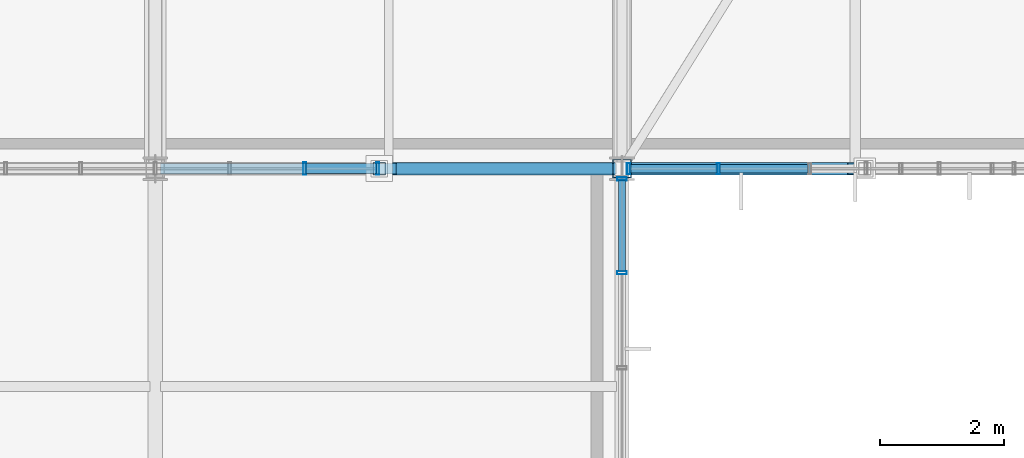
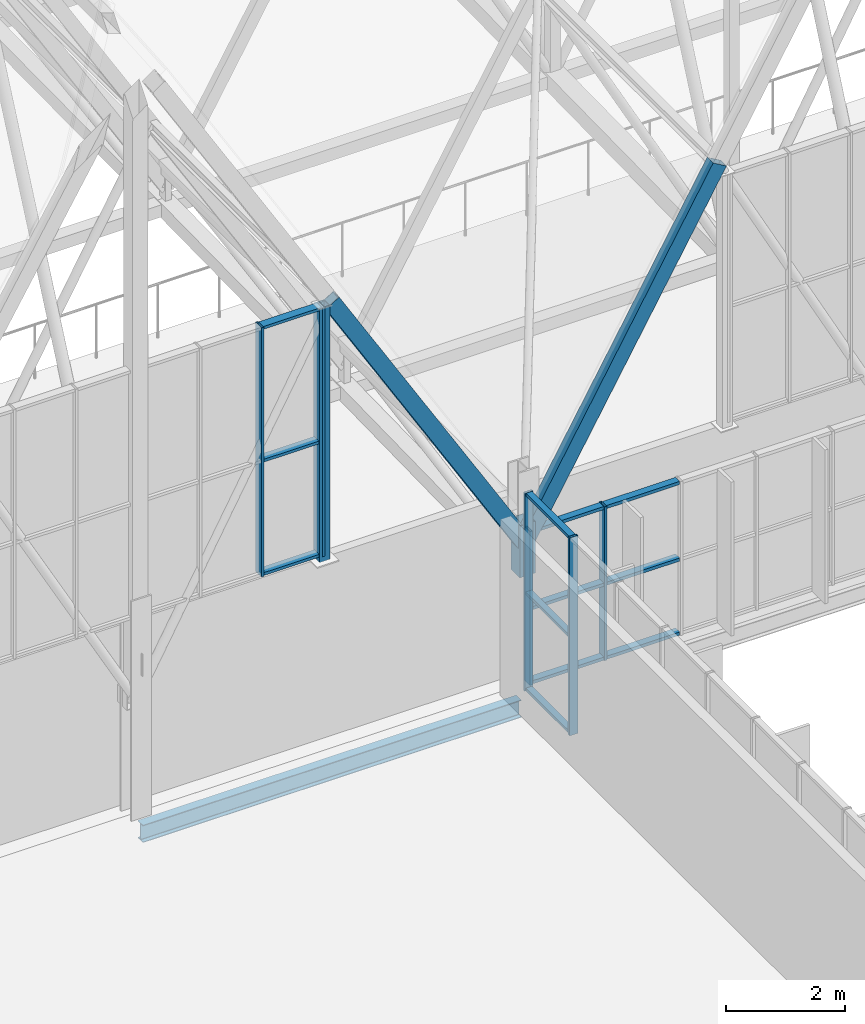
# One storey, part 95 of 324: 22 members, 1 beam, 3 elements without a shape of their own.
"""IFC4 building model written with IfcOpenShell, lengths in metres."""

from ifc_helpers import new_model, si_unit, direction, frame, origin, origin_2d, place, context, subcontext, project, spatial, hollow_rectangle, i_section, extrude, material, layer, layer_set, material_profile, profile_set, type_object, element, aggregate, save


model = new_model("IFC4")

# Units and contexts
model_context = context("Model", 3, precision=1e-05, world=origin(), true_north=direction((0.0, 1.0)))
body_context = subcontext(model_context, "Body", "Model", "MODEL_VIEW")
ifc_project = project(units=[si_unit("LENGTHUNIT", "METRE"), si_unit("AREAUNIT", "SQUARE_METRE"), si_unit("VOLUMEUNIT", "CUBIC_METRE"), si_unit("PLANEANGLEUNIT", "RADIAN"), si_unit("MASSUNIT", "GRAM", prefix="KILO")], contexts=[model_context])

# Site, building, storey
site_placement = place(None, origin())
site = spatial("IfcSite", under=ifc_project, at=site_placement, CompositionType="ELEMENT")
building_placement = place(site_placement, origin())
building = spatial("IfcBuilding", under=site, at=building_placement, Name="Solvenia Promenade Tram Depot", CompositionType="ELEMENT")
storey_placement = place(building_placement, frame((0.0, 0.0, 4.5)))
storey = spatial("IfcBuildingStorey", under=building, at=storey_placement, Name="L01", CompositionType="ELEMENT", Elevation=4.5)

# Curtain wall, members
ifc_material_1 = material(Name="Anodized aluminium AW-6063 T6", Category="aluminium")
ifc_layer_1 = layer(ifc_material_1, 0.1201171875, Name="Anodized aluminium AW-6063 T6", Category="aluminium")
ifc_layer_set_1 = layer_set([ifc_layer_1], Name="Anodized aluminium AW-6063 T6")
curtain_wall_type_1 = type_object("IfcCurtainWallType", Name="CW-Wash-1500", PredefinedType="NOTDEFINED", material=ifc_layer_set_1)
curtain_wall_1_placement = place(storey_placement, origin())
curtain_wall_1 = element("IfcCurtainWall", 1, at=curtain_wall_1_placement, inside=storey, type_object=curtain_wall_type_1, Name="Curtain Wall CW-V3-E-L1-3", PredefinedType="NOTDEFINED")
ifc_material_profile_1 = material_profile(ifc_material_1, hollow_rectangle(XDim=0.159912109375, YDim=0.052001953125, WallThickness=0.00390625, at=origin_2d()), Name="ALU-M1", Category="aluminium")
ifc_profile_set_1 = profile_set([ifc_material_profile_1], Name="Anodized aluminium AW-6063 T6")
member_type_1 = type_object("IfcMemberType", Name="CWM-Mullion-1", PredefinedType="MULLION", material=ifc_profile_set_1)
member_1_placement = place(storey_placement, frame((45.0, 64.328857421875, 0.0), z_axis=(0.0, 0.0, 1.0), x_axis=(-1.0, 0.0, 0.0)))
member_1 = element("IfcMember", 2, at=member_1_placement, type_object=member_type_1, Name="CW-10 mullion 9", PredefinedType="MULLION", context=body_context, shape_type="SweptSolid", body=[
    extrude(hollow_rectangle(XDim=0.159912109375, YDim=0.052001953125, WallThickness=0.00390625, at=origin_2d()), origin(), (0.0, 0.0, 1.0), 4.050048828125),
])
member_2_placement = place(storey_placement, frame((45.0, 65.833984375, 0.0), z_axis=(0.0, 0.0, 1.0), x_axis=(-1.0, 0.0, 0.0)))
member_2 = element("IfcMember", 3, at=member_2_placement, type_object=member_type_1, Name="CW-10 mullion 10", PredefinedType="MULLION", context=body_context, shape_type="SweptSolid", body=[
    extrude(hollow_rectangle(XDim=0.159912109375, YDim=0.052001953125, WallThickness=0.00390625, at=origin_2d()), origin(), (0.0, 0.0, 1.0), 4.050048828125),
])

ifc_layer_2 = layer(ifc_material_1, 0.159912109375, Name="Anodized aluminium AW-6063 T6", Category="aluminium")
ifc_layer_set_2 = layer_set([ifc_layer_2], Name="Anodized aluminium AW-6063 T6")
curtain_wall_type_2 = type_object("IfcCurtainWallType", Name="CW-Channel-1500", PredefinedType="NOTDEFINED", material=ifc_layer_set_2)
curtain_wall_2_placement = place(storey_placement, origin())
curtain_wall_2 = element("IfcCurtainWall", 4, at=curtain_wall_2_placement, inside=storey, type_object=curtain_wall_type_2, Name="Curtain Wall CW-V1S1-01", PredefinedType="NOTDEFINED")
ifc_material_profile_2 = material_profile(ifc_material_1, hollow_rectangle(XDim=0.179931640625, YDim=0.050048828125, WallThickness=0.00390625, at=origin_2d()), Name="ALU-M2", Category="aluminium")
ifc_profile_set_2 = profile_set([ifc_material_profile_2], Name="Anodized aluminium AW-6063 T6")
member_type_2 = type_object("IfcMemberType", Name="CWM-Mullion-2", PredefinedType="MULLION", material=ifc_profile_set_2)
member_3_placement = place(storey_placement, frame((45.10498046875, 66.0, 0.0), z_axis=(0.0, 0.0, 1.0), x_axis=(0.0, 1.0, 0.0)))
member_3 = element("IfcMember", 5, at=member_3_placement, type_object=member_type_2, Name="CW-2 mullion 1", PredefinedType="MULLION", context=body_context, shape_type="SweptSolid", body=[
    extrude(hollow_rectangle(XDim=0.179931640625, YDim=0.050048828125, WallThickness=0.00390625, at=origin_2d()), origin(), (0.0, 0.0, 1.0), 3.14990234375),
])
member_4_placement = place(storey_placement, frame((46.548095703125, 66.0, 0.0), z_axis=(0.0, 0.0, 1.0), x_axis=(0.0, 1.0, 0.0)))
member_4 = element("IfcMember", 6, at=member_4_placement, type_object=member_type_2, Name="CW-2 mullion 2", PredefinedType="MULLION", context=body_context, shape_type="SweptSolid", body=[
    extrude(hollow_rectangle(XDim=0.179931640625, YDim=0.050048828125, WallThickness=0.00390625, at=origin_2d()), origin(), (0.0, 0.0, 1.0), 3.14990234375),
])

ifc_layer_3 = layer(ifc_material_1, 0.14990234375, Name="Anodized aluminium AW-6063 T6", Category="aluminium")
ifc_layer_set_3 = layer_set([ifc_layer_3], Name="Anodized aluminium AW-6063 T6")
curtain_wall_type_3 = type_object("IfcCurtainWallType", Name="CW-Gable-1200", PredefinedType="NOTDEFINED", material=ifc_layer_set_3)
curtain_wall_3_placement = place(storey_placement, origin())
curtain_wall_3 = element("IfcCurtainWall", 7, at=curtain_wall_3_placement, inside=storey, type_object=curtain_wall_type_3, Name="South Zigzag Gable 03 Peak Glazing", PredefinedType="NOTDEFINED")
ifc_material_profile_3 = material_profile(ifc_material_1, hollow_rectangle(XDim=0.199951171875, YDim=0.048095703125, WallThickness=0.00390625, at=origin_2d()), Name="ALU-M3", Category="aluminium")
ifc_profile_set_3 = profile_set([ifc_material_profile_3], Name="Anodized aluminium AW-6063 T6")
member_type_3 = type_object("IfcMemberType", Name="CWM-Mullion-3", PredefinedType="MULLION", material=ifc_profile_set_3)
member_5_placement = place(storey_placement, frame((39.89990234375, 66.0, 4.050048828125), z_axis=(0.0, 0.0, 1.0), x_axis=(0.0, 1.0, 0.0)))
member_5 = element("IfcMember", 8, at=member_5_placement, type_object=member_type_3, Name="CW-3 mullion 6", PredefinedType="MULLION", context=body_context, shape_type="SweptSolid", body=[
    extrude(hollow_rectangle(XDim=0.199951171875, YDim=0.048095703125, WallThickness=0.00390625, at=origin_2d()), origin(), (0.0, 0.0, 1.0), 5.099853515625),
])
member_6_placement = place(storey_placement, frame((41.075927734375, 66.0, 4.050048828125), z_axis=(0.0, 0.0, 1.0), x_axis=(0.0, 1.0, 0.0)))
member_6 = element("IfcMember", 9, at=member_6_placement, type_object=member_type_3, Name="CW-3 mullion 7", PredefinedType="MULLION", context=body_context, shape_type="SweptSolid", body=[
    extrude(hollow_rectangle(XDim=0.199951171875, YDim=0.048095703125, WallThickness=0.00390625, at=origin_2d()), origin(), (0.0, 0.0, 1.0), 5.099853515625),
])

# Member
ifc_material_profile_4 = material_profile(ifc_material_1, hollow_rectangle(XDim=0.1201171875, YDim=0.06005859375, WallThickness=0.00390625, at=origin_2d()), Name="ALU-T1", Category="aluminium")
ifc_profile_set_4 = profile_set([ifc_material_profile_4], Name="Anodized aluminium AW-6063 T6")
member_type_4 = type_object("IfcMemberType", Name="CWT-Transom-1", PredefinedType="USERDEFINED", material=ifc_profile_set_4)
member_7_placement = place(storey_placement, frame((45.0, 64.35498046875, 0.030029296875), z_axis=(0.0, 1.0, 0.0), x_axis=(-1.0, 0.0, 0.0)))
member_7 = element("IfcMember", 10, at=member_7_placement, type_object=member_type_4, Name="CW-10 transom 9.1", ObjectType="TRANSOM", PredefinedType="USERDEFINED", context=body_context, shape_type="SweptSolid", body=[
    extrude(hollow_rectangle(XDim=0.1201171875, YDim=0.06005859375, WallThickness=0.00390625, at=origin_2d()), origin(), (0.0, 0.0, 1.0), 1.453125),
])

member_8_placement = place(storey_placement, frame((45.0, 64.35498046875, 2.0), z_axis=(0.0, 1.0, 0.0), x_axis=(-1.0, 0.0, 0.0)))
member_8 = element("IfcMember", 11, at=member_8_placement, type_object=member_type_4, Name="CW-10 transom 9.2", ObjectType="TRANSOM", PredefinedType="USERDEFINED", context=body_context, shape_type="SweptSolid", body=[
    extrude(hollow_rectangle(XDim=0.1201171875, YDim=0.06005859375, WallThickness=0.00390625, at=origin_2d()), origin(), (0.0, 0.0, 1.0), 1.453125),
])

member_9_placement = place(storey_placement, frame((45.0, 64.35498046875, 4.02001953125), z_axis=(0.0, 1.0, 0.0), x_axis=(-1.0, 0.0, 0.0)))
member_9 = element("IfcMember", 12, at=member_9_placement, type_object=member_type_4, Name="CW-10 transom 9.3", ObjectType="TRANSOM", PredefinedType="USERDEFINED", context=body_context, shape_type="SweptSolid", body=[
    extrude(hollow_rectangle(XDim=0.1201171875, YDim=0.06005859375, WallThickness=0.00390625, at=origin_2d()), origin(), (0.0, 0.0, 1.0), 1.453125),
])

aggregate(curtain_wall_1, [member_1, member_2, member_7, member_8, member_9])

ifc_material_profile_5 = material_profile(ifc_material_1, hollow_rectangle(XDim=0.139892578125, YDim=0.06494140625, WallThickness=0.00390625, at=origin_2d()), Name="ALU-T2", Category="aluminium")
ifc_profile_set_5 = profile_set([ifc_material_profile_5], Name="Anodized aluminium AW-6063 T6")
member_type_5 = type_object("IfcMemberType", Name="CWT-Transom-2", PredefinedType="USERDEFINED", material=ifc_profile_set_5)
member_10_placement = place(storey_placement, frame((45.1298828125, 66.0, 0.032470703125), z_axis=(1.0, 0.0, 0.0), x_axis=(0.0, 1.0, 0.0)))
member_10 = element("IfcMember", 13, at=member_10_placement, type_object=member_type_5, Name="CW-2 transom 1.1", ObjectType="TRANSOM", PredefinedType="USERDEFINED", context=body_context, shape_type="SweptSolid", body=[
    extrude(hollow_rectangle(XDim=0.139892578125, YDim=0.06494140625, WallThickness=0.00390625, at=origin_2d()), origin(), (0.0, 0.0, 1.0), 1.39306640625),
])

member_11_placement = place(storey_placement, frame((45.1298828125, 66.0, 1.550048828125), z_axis=(1.0, 0.0, 0.0), x_axis=(0.0, 1.0, 0.0)))
member_11 = element("IfcMember", 14, at=member_11_placement, type_object=member_type_5, Name="CW-2 transom 1.2", ObjectType="TRANSOM", PredefinedType="USERDEFINED", context=body_context, shape_type="SweptSolid", body=[
    extrude(hollow_rectangle(XDim=0.139892578125, YDim=0.06494140625, WallThickness=0.00390625, at=origin_2d()), origin(), (0.0, 0.0, 1.0), 1.39306640625),
])

member_12_placement = place(storey_placement, frame((45.1298828125, 66.0, 3.117431640625), z_axis=(1.0, 0.0, 0.0), x_axis=(0.0, 1.0, 0.0)))
member_12 = element("IfcMember", 15, at=member_12_placement, type_object=member_type_5, Name="CW-2 transom 1.3", ObjectType="TRANSOM", PredefinedType="USERDEFINED", context=body_context, shape_type="SweptSolid", body=[
    extrude(hollow_rectangle(XDim=0.139892578125, YDim=0.06494140625, WallThickness=0.00390625, at=origin_2d()), origin(), (0.0, 0.0, 1.0), 1.39306640625),
])

member_13_placement = place(storey_placement, frame((46.572998046875, 66.0, 0.032470703125), z_axis=(1.0, 0.0, 0.0), x_axis=(0.0, 1.0, 0.0)))
member_13 = element("IfcMember", 16, at=member_13_placement, type_object=member_type_5, Name="CW-2 transom 2.1", ObjectType="TRANSOM", PredefinedType="USERDEFINED", context=body_context, shape_type="SweptSolid", body=[
    extrude(hollow_rectangle(XDim=0.139892578125, YDim=0.06494140625, WallThickness=0.00390625, at=origin_2d()), origin(), (0.0, 0.0, 1.0), 1.41796875),
])

member_14_placement = place(storey_placement, frame((46.572998046875, 66.0, 1.550048828125), z_axis=(1.0, 0.0, 0.0), x_axis=(0.0, 1.0, 0.0)))
member_14 = element("IfcMember", 17, at=member_14_placement, type_object=member_type_5, Name="CW-2 transom 2.2", ObjectType="TRANSOM", PredefinedType="USERDEFINED", context=body_context, shape_type="SweptSolid", body=[
    extrude(hollow_rectangle(XDim=0.139892578125, YDim=0.06494140625, WallThickness=0.00390625, at=origin_2d()), origin(), (0.0, 0.0, 1.0), 1.41796875),
])

member_15_placement = place(storey_placement, frame((46.572998046875, 66.0, 3.117431640625), z_axis=(1.0, 0.0, 0.0), x_axis=(0.0, 1.0, 0.0)))
member_15 = element("IfcMember", 18, at=member_15_placement, type_object=member_type_5, Name="CW-2 transom 2.3", ObjectType="TRANSOM", PredefinedType="USERDEFINED", context=body_context, shape_type="SweptSolid", body=[
    extrude(hollow_rectangle(XDim=0.139892578125, YDim=0.06494140625, WallThickness=0.00390625, at=origin_2d()), origin(), (0.0, 0.0, 1.0), 1.41796875),
])

aggregate(curtain_wall_2, [member_3, member_4, member_10, member_11, member_12, member_13, member_14, member_15])

ifc_material_profile_6 = material_profile(ifc_material_1, hollow_rectangle(XDim=0.159912109375, YDim=0.05810546875, WallThickness=0.00390625, at=origin_2d()), Name="ALU-T3", Category="aluminium")
ifc_profile_set_6 = profile_set([ifc_material_profile_6], Name="Anodized aluminium AW-6063 T6")
member_type_6 = type_object("IfcMemberType", Name="CWT-Transom-3", PredefinedType="USERDEFINED", material=ifc_profile_set_6)
member_16_placement = place(storey_placement, frame((39.924072265625, 66.0, 4.0791015625), z_axis=(1.0, 0.0, 0.0), x_axis=(0.0, 1.0, 0.0)))
member_16 = element("IfcMember", 19, at=member_16_placement, type_object=member_type_6, Name="CW-3 transom 6.1", ObjectType="TRANSOM", PredefinedType="USERDEFINED", context=body_context, shape_type="SweptSolid", body=[
    extrude(hollow_rectangle(XDim=0.159912109375, YDim=0.05810546875, WallThickness=0.00390625, at=origin_2d()), origin(), (0.0, 0.0, 1.0), 1.1279296875),
])

member_17_placement = place(storey_placement, frame((39.924072265625, 66.0, 6.39990234375), z_axis=(1.0, 0.0, 0.0), x_axis=(0.0, 1.0, 0.0)))
member_17 = element("IfcMember", 20, at=member_17_placement, type_object=member_type_6, Name="CW-3 transom 6.2", ObjectType="TRANSOM", PredefinedType="USERDEFINED", context=body_context, shape_type="SweptSolid", body=[
    extrude(hollow_rectangle(XDim=0.159912109375, YDim=0.05810546875, WallThickness=0.00390625, at=origin_2d()), origin(), (0.0, 0.0, 1.0), 1.1279296875),
])

member_18_placement = place(storey_placement, frame((39.924072265625, 66.0, 9.12109375), z_axis=(1.0, 0.0, 0.0), x_axis=(0.0, 1.0, 0.0)))
member_18 = element("IfcMember", 21, at=member_18_placement, type_object=member_type_6, Name="CW-3 transom 6.3", ObjectType="TRANSOM", PredefinedType="USERDEFINED", context=body_context, shape_type="SweptSolid", body=[
    extrude(hollow_rectangle(XDim=0.159912109375, YDim=0.05810546875, WallThickness=0.00390625, at=origin_2d()), origin(), (0.0, 0.0, 1.0), 1.1279296875),
])

aggregate(curtain_wall_3, [member_5, member_6, member_16, member_17, member_18])

# Members
ifc_material_2 = material(Name="Structural steel ASTM A500 Gr. C", Category="steel")
ifc_material_profile_7 = material_profile(ifc_material_2, hollow_rectangle(XDim=0.199951171875, YDim=0.300048828125, WallThickness=0.012451171875, at=origin_2d()), Name="HSS300x200x12.5", Category="steel")
ifc_profile_set_7 = profile_set([ifc_material_profile_7], Name="Structural steel ASTM A500 Gr. C")
member_type_7 = type_object("IfcMemberType", Name="Chord-HSS300x200x12", PredefinedType="CHORD", material=ifc_profile_set_7)
member_19_placement = place(storey_placement, frame((41.25, 66.0, 9.1787109375), z_axis=(0.514584433357, 0.0, -0.857439712718), x_axis=(0.0, 1.0, 0.0)))
element("IfcMember", 22, at=member_19_placement, inside=storey, type_object=member_type_7, Name="Zigzag Gable 03 East Lower Rafter", PredefinedType="CHORD", context=body_context, shape_type="SweptSolid", body=[
    extrude(hollow_rectangle(XDim=0.199951171875, YDim=0.300048828125, WallThickness=0.012451171875, at=origin_2d()), origin(), (0.0, 0.0, 1.0), 7.287353515625),
])
member_20_placement = place(storey_placement, frame((45.0, 66.0, 2.921142578125), z_axis=(0.501516268578, 0.0, 0.865148214095), x_axis=(0.0, 1.0, 0.0)))
element("IfcMember", 23, at=member_20_placement, inside=storey, type_object=member_type_7, Name="Zigzag Gable 04 West Lower Rafter", PredefinedType="CHORD", context=body_context, shape_type="SweptSolid", body=[
    extrude(hollow_rectangle(XDim=0.199951171875, YDim=0.300048828125, WallThickness=0.012451171875, at=origin_2d()), origin(), (0.0, 0.0, 1.0), 7.477294921875),
])
ifc_material_profile_8 = material_profile(ifc_material_2, hollow_rectangle(XDim=0.300048828125, YDim=0.300048828125, WallThickness=0.012451171875, at=origin_2d()), Name="HSS300x300x12.5", Category="steel")
ifc_profile_set_8 = profile_set([ifc_material_profile_8], Name="Structural steel ASTM A500 Gr. C")
member_type_8 = type_object("IfcMemberType", Name="Chord-HSS300x300x12", PredefinedType="CHORD", material=ifc_profile_set_8)
member_21_placement = place(storey_placement, frame((45.0, 66.0, 2.320068359375), z_axis=(0.0, 0.0, 1.0), x_axis=(1.0, 0.0, 0.0)))
element("IfcMember", 24, at=member_21_placement, inside=storey, type_object=member_type_8, Name="Arched Truss T07 S End Post", PredefinedType="CHORD", context=body_context, shape_type="SweptSolid", body=[
    extrude(hollow_rectangle(XDim=0.300048828125, YDim=0.300048828125, WallThickness=0.012451171875, at=origin_2d()), origin(), (0.0, 0.0, 1.0), 1.059814453125),
])
ifc_material_profile_9 = material_profile(ifc_material_2, hollow_rectangle(XDim=0.199951171875, YDim=0.199951171875, WallThickness=0.010009765625, at=origin_2d()), Name="HSS200x200x10", Category="steel")
ifc_profile_set_9 = profile_set([ifc_material_profile_9], Name="Structural steel ASTM A500 Gr. C")
member_type_9 = type_object("IfcMemberType", Name="Post-HSS200x200x10", PredefinedType="POST", material=ifc_profile_set_9)
member_22_placement = place(storey_placement, frame((41.10009765625, 66.0, 3.949951171875), z_axis=(0.0, 0.0, 1.0), x_axis=(1.0, 0.0, 0.0)))
element("IfcMember", 25, at=member_22_placement, inside=storey, type_object=member_type_9, Name="Gable Curtain-Wall Steel Jamb Post 012", PredefinedType="POST", context=body_context, shape_type="SweptSolid", body=[
    extrude(hollow_rectangle(XDim=0.199951171875, YDim=0.199951171875, WallThickness=0.010009765625, at=origin_2d()), origin(), (0.0, 0.0, 1.0), 5.199951171875),
])

# Beam
ifc_material_3 = material(Name="Structural steel ASTM A992 Gr. 50", Category="steel")
ifc_material_profile_10 = material_profile(ifc_material_3, i_section(OverallWidth=0.172119140625, OverallDepth=0.35791015625, WebThickness=0.0078125, FlangeThickness=0.01318359375, FilletRadius=0.010986328125, at=origin_2d()), Name="W360x57", Category="steel")
ifc_profile_set_10 = profile_set([ifc_material_profile_10], Name="Structural steel ASTM A992 Gr. 50")
beam_type = type_object("IfcBeamType", Name="Spandrel-W360x57", PredefinedType="SPANDREL", material=ifc_profile_set_10)
beam_placement = place(storey_placement, frame((37.5849609375, 66.0, -0.4189453125), z_axis=(1.0, 0.0, 0.0), x_axis=(0.0, 1.0, 0.0)))
element("IfcBeam", 26, at=beam_placement, inside=storey, type_object=beam_type, Name="Perimeter Spandrel BM-L01-0006", PredefinedType="SPANDREL", context=body_context, shape_type="SweptSolid", body=[
    extrude(i_section(OverallWidth=0.172119140625, OverallDepth=0.35791015625, WebThickness=0.0078125, FlangeThickness=0.01318359375, FilletRadius=0.010986328125, at=origin_2d()), origin(), (0.0, 0.0, 1.0), 7.330078125),
])

save(model, "model.ifc")
